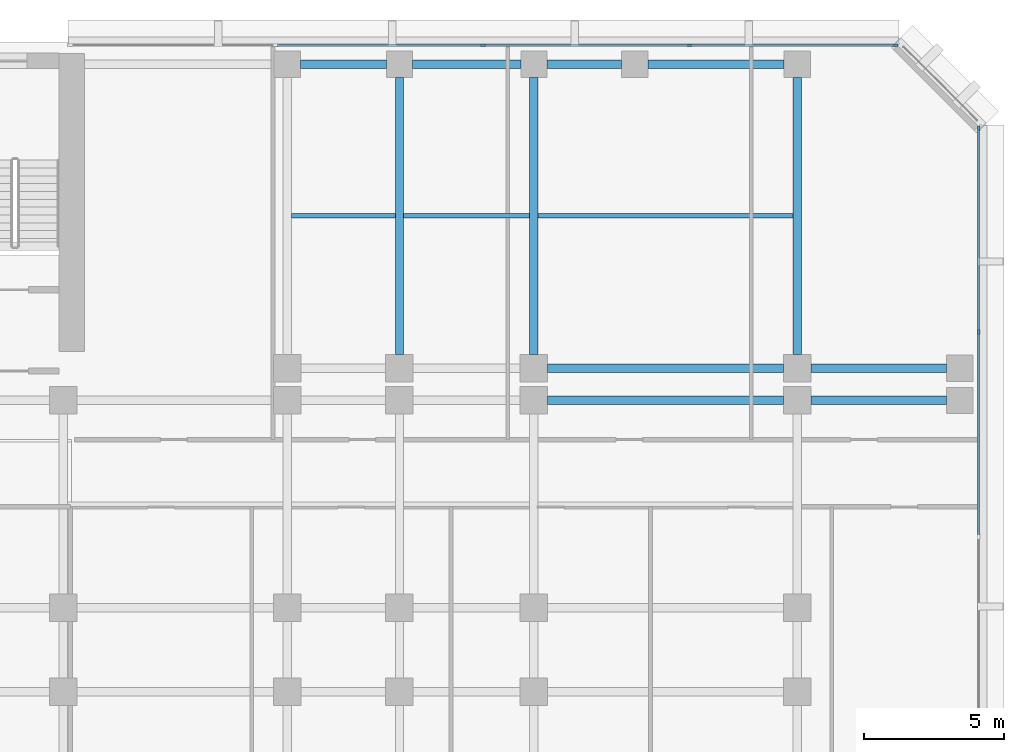
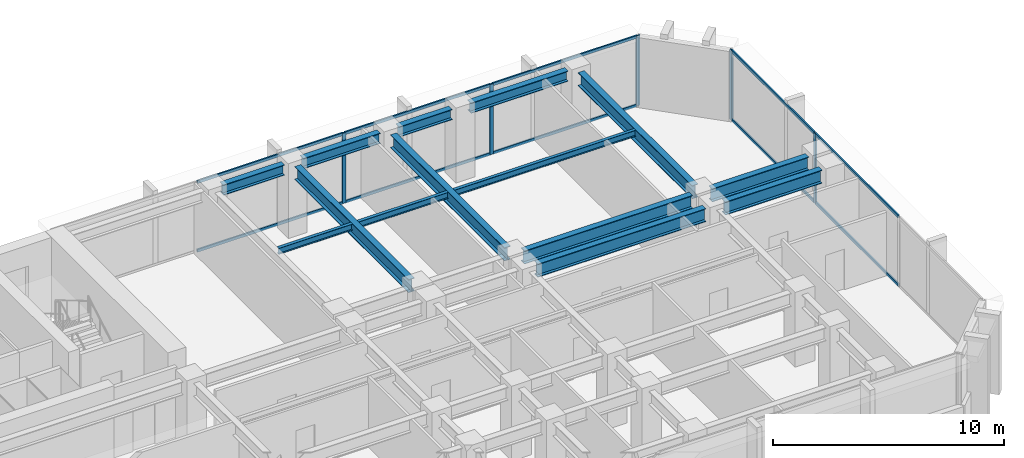
# One storey, part 5 of 14: 15 members, 14 beams, 2 elements without a shape of their own.
"""IFC4 building model written with IfcOpenShell, lengths in metres."""

from ifc_helpers import new_model, si_unit, direction, frame, origin, origin_2d, place, context, subcontext, project, spatial, rectangle, i_section, extrude, material, layer, layer_set, material_profile, profile_set, type_object, element, aggregate, save


model = new_model("IFC4")

# Units and contexts
model_context = context("Model", 3, precision=1e-05, world=origin(), true_north=direction((0.0, 1.0)))
body_context = subcontext(model_context, "Body", "Model", "MODEL_VIEW")
ifc_project = project(units=[si_unit("LENGTHUNIT", "METRE"), si_unit("AREAUNIT", "SQUARE_METRE"), si_unit("VOLUMEUNIT", "CUBIC_METRE"), si_unit("PLANEANGLEUNIT", "RADIAN"), si_unit("MASSUNIT", "GRAM", prefix="KILO")], contexts=[model_context])

# Site, building, storey
site_placement = place(None, origin())
site = spatial("IfcSite", under=ifc_project, at=site_placement, CompositionType="ELEMENT")
building_placement = place(site_placement, origin())
building = spatial("IfcBuilding", under=site, at=building_placement, Name="Kefirva Bronze Tower", CompositionType="ELEMENT")
storey_placement = place(building_placement, frame((0.0, 0.0, 66.0)))
storey = spatial("IfcBuildingStorey", under=building, at=storey_placement, Name="L15", CompositionType="ELEMENT", Elevation=66.0)

# Curtain wall, members
ifc_material_1 = material(Name="Bronze anodised aluminium", Category="aluminium")
ifc_layer = layer(ifc_material_1, 0.199951171875, Name="Bronze anodised aluminium")
ifc_layer_set = layer_set([ifc_layer], Name="Bronze anodised aluminium")
curtain_wall_type = type_object("IfcCurtainWallType", Name="Unitised Bronze Ribbon Curtain Wall Zone 1", PredefinedType="USERDEFINED", material=ifc_layer_set)
curtain_wall_1_placement = place(storey_placement, origin())
curtain_wall_1 = element("IfcCurtainWall", 1, at=curtain_wall_1_placement, inside=storey, type_object=curtain_wall_type, Name="L15 Curtain Wall 2", ObjectType="UNITISED CURTAIN WALL", PredefinedType="USERDEFINED")
ifc_material_profile_1 = material_profile(ifc_material_1, rectangle(XDim=0.074951171875, YDim=0.179931640625, at=origin_2d()), Name="ALU 75x180")
ifc_profile_set_1 = profile_set([ifc_material_profile_1], Name="Bronze anodised aluminium")
member_type_1 = type_object("IfcMemberType", Name="Bronze Mullion 75x180", PredefinedType="MULLION", material=ifc_profile_set_1)
member_1_placement = place(storey_placement, frame((55.8798828125, 35.6484375, 0.0), z_axis=(0.0, 0.0, 1.0), x_axis=(-1.0, 0.0, 0.0)))
member_1 = element("IfcMember", 2, at=member_1_placement, type_object=member_type_1, Name="CW-01 mullion 3", PredefinedType="MULLION", context=body_context, shape_type="SweptSolid", body=[
    extrude(rectangle(XDim=0.074951171875, YDim=0.179931640625, at=origin_2d()), origin(), (0.0, 0.0, 1.0), 3.7099609375),
])
member_2_placement = place(storey_placement, frame((55.8798828125, 42.907470703125, 0.0), z_axis=(0.0, 0.0, 1.0), x_axis=(-1.0, 0.0, 0.0)))
member_2 = element("IfcMember", 3, at=member_2_placement, type_object=member_type_1, Name="CW-01 mullion 4", PredefinedType="MULLION", context=body_context, shape_type="SweptSolid", body=[
    extrude(rectangle(XDim=0.074951171875, YDim=0.179931640625, at=origin_2d()), origin(), (0.0, 0.0, 1.0), 3.7099609375),
])

curtain_wall_2_placement = place(storey_placement, origin())
curtain_wall_2 = element("IfcCurtainWall", 4, at=curtain_wall_2_placement, inside=storey, type_object=curtain_wall_type, Name="L15 Curtain Wall 3", ObjectType="UNITISED CURTAIN WALL", PredefinedType="USERDEFINED")
member_3_placement = place(storey_placement, frame((52.907470703125, 45.8798828125, 0.0), z_axis=(0.0, 0.0, 1.0), x_axis=(0.0, -1.0, 0.0)))
member_3 = element("IfcMember", 5, at=member_3_placement, type_object=member_type_1, Name="CW-01 mullion 1", PredefinedType="MULLION", context=body_context, shape_type="SweptSolid", body=[
    extrude(rectangle(XDim=0.074951171875, YDim=0.179931640625, at=origin_2d()), origin(), (0.0, 0.0, 1.0), 3.7099609375),
])
member_4_placement = place(storey_placement, frame((45.56005859375, 45.8798828125, 0.0), z_axis=(0.0, 0.0, 1.0), x_axis=(0.0, -1.0, 0.0)))
member_4 = element("IfcMember", 6, at=member_4_placement, type_object=member_type_1, Name="CW-01 mullion 2", PredefinedType="MULLION", context=body_context, shape_type="SweptSolid", body=[
    extrude(rectangle(XDim=0.074951171875, YDim=0.179931640625, at=origin_2d()), origin(), (0.0, 0.0, 1.0), 3.7099609375),
])
member_5_placement = place(storey_placement, frame((38.175048828125, 45.8798828125, 0.0), z_axis=(0.0, 0.0, 1.0), x_axis=(0.0, -1.0, 0.0)))
member_5 = element("IfcMember", 7, at=member_5_placement, type_object=member_type_1, Name="CW-01 mullion 3", PredefinedType="MULLION", context=body_context, shape_type="SweptSolid", body=[
    extrude(rectangle(XDim=0.074951171875, YDim=0.179931640625, at=origin_2d()), origin(), (0.0, 0.0, 1.0), 3.7099609375),
])

# Member
ifc_material_profile_2 = material_profile(ifc_material_1, rectangle(XDim=0.074951171875, YDim=0.14990234375, at=origin_2d()), Name="ALU 75x150")
ifc_profile_set_2 = profile_set([ifc_material_profile_2], Name="Bronze anodised aluminium")
member_type_2 = type_object("IfcMemberType", Name="Bronze Transom 75x150", PredefinedType="USERDEFINED", material=ifc_profile_set_2)
member_6_placement = place(storey_placement, frame((55.8798828125, 28.38916015625, 0.03759765625), z_axis=(0.0, 1.0, 0.0), x_axis=(-1.0, 0.0, 0.0)))
member_6 = element("IfcMember", 8, at=member_6_placement, type_object=member_type_2, Name="CW-01 transom 2.1", ObjectType="TRANSOM", PredefinedType="USERDEFINED", context=body_context, shape_type="SweptSolid", body=[
    extrude(rectangle(XDim=0.074951171875, YDim=0.14990234375, at=origin_2d()), origin(), (0.0, 0.0, 1.0), 7.2216796875),
])

member_7_placement = place(storey_placement, frame((55.8798828125, 28.38916015625, 3.672607421875), z_axis=(0.0, 1.0, 0.0), x_axis=(-1.0, 0.0, 0.0)))
member_7 = element("IfcMember", 9, at=member_7_placement, type_object=member_type_2, Name="CW-01 transom 2.2", ObjectType="TRANSOM", PredefinedType="USERDEFINED", context=body_context, shape_type="SweptSolid", body=[
    extrude(rectangle(XDim=0.074951171875, YDim=0.14990234375, at=origin_2d()), origin(), (0.0, 0.0, 1.0), 7.2216796875),
])

member_8_placement = place(storey_placement, frame((55.8798828125, 35.685791015625, 0.03759765625), z_axis=(0.0, 1.0, 0.0), x_axis=(-1.0, 0.0, 0.0)))
member_8 = element("IfcMember", 10, at=member_8_placement, type_object=member_type_2, Name="CW-01 transom 3.1", ObjectType="TRANSOM", PredefinedType="USERDEFINED", context=body_context, shape_type="SweptSolid", body=[
    extrude(rectangle(XDim=0.074951171875, YDim=0.14990234375, at=origin_2d()), origin(), (0.0, 0.0, 1.0), 7.184326171875),
])

member_9_placement = place(storey_placement, frame((55.8798828125, 35.685791015625, 3.672607421875), z_axis=(0.0, 1.0, 0.0), x_axis=(-1.0, 0.0, 0.0)))
member_9 = element("IfcMember", 11, at=member_9_placement, type_object=member_type_2, Name="CW-01 transom 3.2", ObjectType="TRANSOM", PredefinedType="USERDEFINED", context=body_context, shape_type="SweptSolid", body=[
    extrude(rectangle(XDim=0.074951171875, YDim=0.14990234375, at=origin_2d()), origin(), (0.0, 0.0, 1.0), 7.184326171875),
])

aggregate(curtain_wall_1, [member_1, member_2, member_6, member_7, member_8, member_9])

member_10_placement = place(storey_placement, frame((52.8701171875, 45.8798828125, 0.03759765625), z_axis=(-1.0, 0.0, 0.0), x_axis=(0.0, -1.0, 0.0)))
member_10 = element("IfcMember", 12, at=member_10_placement, type_object=member_type_2, Name="CW-01 transom 1.1", ObjectType="TRANSOM", PredefinedType="USERDEFINED", context=body_context, shape_type="SweptSolid", body=[
    extrude(rectangle(XDim=0.074951171875, YDim=0.14990234375, at=origin_2d()), origin(), (0.0, 0.0, 1.0), 7.272705078125),
])

member_11_placement = place(storey_placement, frame((52.8701171875, 45.8798828125, 3.672607421875), z_axis=(-1.0, 0.0, 0.0), x_axis=(0.0, -1.0, 0.0)))
member_11 = element("IfcMember", 13, at=member_11_placement, type_object=member_type_2, Name="CW-01 transom 1.2", ObjectType="TRANSOM", PredefinedType="USERDEFINED", context=body_context, shape_type="SweptSolid", body=[
    extrude(rectangle(XDim=0.074951171875, YDim=0.14990234375, at=origin_2d()), origin(), (0.0, 0.0, 1.0), 7.272705078125),
])

member_12_placement = place(storey_placement, frame((45.5224609375, 45.8798828125, 0.03759765625), z_axis=(-1.0, 0.0, 0.0), x_axis=(0.0, -1.0, 0.0)))
member_12 = element("IfcMember", 14, at=member_12_placement, type_object=member_type_2, Name="CW-01 transom 2.1", ObjectType="TRANSOM", PredefinedType="USERDEFINED", context=body_context, shape_type="SweptSolid", body=[
    extrude(rectangle(XDim=0.074951171875, YDim=0.14990234375, at=origin_2d()), origin(), (0.0, 0.0, 1.0), 7.31005859375),
])

member_13_placement = place(storey_placement, frame((45.5224609375, 45.8798828125, 3.672607421875), z_axis=(-1.0, 0.0, 0.0), x_axis=(0.0, -1.0, 0.0)))
member_13 = element("IfcMember", 15, at=member_13_placement, type_object=member_type_2, Name="CW-01 transom 2.2", ObjectType="TRANSOM", PredefinedType="USERDEFINED", context=body_context, shape_type="SweptSolid", body=[
    extrude(rectangle(XDim=0.074951171875, YDim=0.14990234375, at=origin_2d()), origin(), (0.0, 0.0, 1.0), 7.31005859375),
])

member_14_placement = place(storey_placement, frame((38.137451171875, 45.8798828125, 0.03759765625), z_axis=(-1.0, 0.0, 0.0), x_axis=(0.0, -1.0, 0.0)))
member_14 = element("IfcMember", 16, at=member_14_placement, type_object=member_type_2, Name="CW-01 transom 3.1", ObjectType="TRANSOM", PredefinedType="USERDEFINED", context=body_context, shape_type="SweptSolid", body=[
    extrude(rectangle(XDim=0.074951171875, YDim=0.14990234375, at=origin_2d()), origin(), (0.0, 0.0, 1.0), 7.31005859375),
])

member_15_placement = place(storey_placement, frame((38.137451171875, 45.8798828125, 3.672607421875), z_axis=(-1.0, 0.0, 0.0), x_axis=(0.0, -1.0, 0.0)))
member_15 = element("IfcMember", 17, at=member_15_placement, type_object=member_type_2, Name="CW-01 transom 3.2", ObjectType="TRANSOM", PredefinedType="USERDEFINED", context=body_context, shape_type="SweptSolid", body=[
    extrude(rectangle(XDim=0.074951171875, YDim=0.14990234375, at=origin_2d()), origin(), (0.0, 0.0, 1.0), 7.31005859375),
])

aggregate(curtain_wall_2, [member_3, member_4, member_5, member_10, member_11, member_12, member_13, member_14, member_15])

# Beams
ifc_material_2 = material(Name="Steel S355", Category="steel")
ifc_material_profile_3 = material_profile(ifc_material_2, i_section(OverallWidth=0.159912109375, OverallDepth=0.330078125, WebThickness=0.007568359375, FlangeThickness=0.011474609375, at=origin_2d()), Name="IPE 330")
ifc_profile_set_3 = profile_set([ifc_material_profile_3], Name="Steel S355")
beam_type_1 = type_object("IfcBeamType", Name="Steel Floor Joist IPE 330", PredefinedType="JOIST", material=ifc_profile_set_3)
beam_1_placement = place(storey_placement, frame((31.35009765625, 39.784912109375, 3.544921875), z_axis=(1.0, 0.0, 0.0), x_axis=(0.0, 1.0, 0.0)))
element("IfcBeam", 18, at=beam_1_placement, inside=storey, type_object=beam_type_1, Name="L15 JST-L15-31-397", PredefinedType="JOIST", context=body_context, shape_type="SweptSolid", body=[
    extrude(i_section(OverallWidth=0.159912109375, OverallDepth=0.330078125, WebThickness=0.007568359375, FlangeThickness=0.011474609375, at=origin_2d()), origin(), (0.0, 0.0, 1.0), 3.699951171875),
])
beam_2_placement = place(storey_placement, frame((35.35009765625, 39.784912109375, 3.544921875), z_axis=(1.0, 0.0, 0.0), x_axis=(0.0, 1.0, 0.0)))
element("IfcBeam", 19, at=beam_2_placement, inside=storey, type_object=beam_type_1, Name="L15 JST-L15-35-397", PredefinedType="JOIST", context=body_context, shape_type="SweptSolid", body=[
    extrude(i_section(OverallWidth=0.159912109375, OverallDepth=0.330078125, WebThickness=0.007568359375, FlangeThickness=0.011474609375, at=origin_2d()), origin(), (0.0, 0.0, 1.0), 4.5),
])
beam_3_placement = place(storey_placement, frame((40.14990234375, 39.784912109375, 3.544921875), z_axis=(1.0, 0.0, 0.0), x_axis=(0.0, 1.0, 0.0)))
element("IfcBeam", 20, at=beam_3_placement, inside=storey, type_object=beam_type_1, Name="L15 JST-L15-40-397", PredefinedType="JOIST", context=body_context, shape_type="SweptSolid", body=[
    extrude(i_section(OverallWidth=0.159912109375, OverallDepth=0.330078125, WebThickness=0.007568359375, FlangeThickness=0.011474609375, at=origin_2d()), origin(), (0.0, 0.0, 1.0), 9.10009765625),
])
ifc_material_profile_4 = material_profile(ifc_material_2, i_section(OverallWidth=0.300048828125, OverallDepth=0.699951171875, WebThickness=0.01708984375, FlangeThickness=0.031982421875, at=origin_2d()), Name="HEB 700")
ifc_profile_set_4 = profile_set([ifc_material_profile_4], Name="Steel S355")
beam_type_2 = type_object("IfcBeamType", Name="Steel Girder HEB 700", PredefinedType="USERDEFINED", material=ifc_profile_set_4)
beam_4_placement = place(storey_placement, frame((40.489990234375, 33.199951171875, 3.360107421875), z_axis=(1.0, 0.0, 0.0), x_axis=(0.0, 1.0, 0.0)))
element("IfcBeam", 21, at=beam_4_placement, inside=storey, type_object=beam_type_2, Name="L15 BM-L15-EW-40-332", ObjectType="GIRDER", PredefinedType="USERDEFINED", context=body_context, shape_type="SweptSolid", body=[
    extrude(i_section(OverallWidth=0.300048828125, OverallDepth=0.699951171875, WebThickness=0.01708984375, FlangeThickness=0.031982421875, at=origin_2d()), origin(), (0.0, 0.0, 1.0), 8.419921875),
])
beam_5_placement = place(storey_placement, frame((49.889892578125, 33.199951171875, 3.360107421875), z_axis=(1.0, 0.0, 0.0), x_axis=(0.0, 1.0, 0.0)))
element("IfcBeam", 22, at=beam_5_placement, inside=storey, type_object=beam_type_2, Name="L15 BM-L15-EW-49-332", ObjectType="GIRDER", PredefinedType="USERDEFINED", context=body_context, shape_type="SweptSolid", body=[
    extrude(i_section(OverallWidth=0.300048828125, OverallDepth=0.699951171875, WebThickness=0.01708984375, FlangeThickness=0.031982421875, at=origin_2d()), origin(), (0.0, 0.0, 1.0), 4.840087890625),
])
beam_6_placement = place(storey_placement, frame((40.489990234375, 34.35009765625, 3.360107421875), z_axis=(1.0, 0.0, 0.0), x_axis=(0.0, 1.0, 0.0)))
element("IfcBeam", 23, at=beam_6_placement, inside=storey, type_object=beam_type_2, Name="L15 BM-L15-EW-40-344", ObjectType="GIRDER", PredefinedType="USERDEFINED", context=body_context, shape_type="SweptSolid", body=[
    extrude(i_section(OverallWidth=0.300048828125, OverallDepth=0.699951171875, WebThickness=0.01708984375, FlangeThickness=0.031982421875, at=origin_2d()), origin(), (0.0, 0.0, 1.0), 8.419921875),
])
beam_7_placement = place(storey_placement, frame((49.889892578125, 34.35009765625, 3.360107421875), z_axis=(1.0, 0.0, 0.0), x_axis=(0.0, 1.0, 0.0)))
element("IfcBeam", 24, at=beam_7_placement, inside=storey, type_object=beam_type_2, Name="L15 BM-L15-EW-49-344", ObjectType="GIRDER", PredefinedType="USERDEFINED", context=body_context, shape_type="SweptSolid", body=[
    extrude(i_section(OverallWidth=0.300048828125, OverallDepth=0.699951171875, WebThickness=0.01708984375, FlangeThickness=0.031982421875, at=origin_2d()), origin(), (0.0, 0.0, 1.0), 4.840087890625),
])
for number, where, z_axis, x_axis, name in (
    (25, (35.199951171875, 34.840087890625, 3.360107421875), (0.0, 1.0, 0.0), (-1.0, 0.0, 0.0), "L15 BM-L15-NS-352-34"),
    (26, (40.0, 34.840087890625, 3.360107421875), (0.0, 1.0, 0.0), (-1.0, 0.0, 0.0), "L15 BM-L15-NS-400-34"),
    (27, (49.39990234375, 34.840087890625, 3.360107421875), (0.0, 1.0, 0.0), (-1.0, 0.0, 0.0), "L15 BM-L15-NS-494-34"),
):
    element("IfcBeam", number, at=place(storey_placement, frame(where, z_axis=z_axis, x_axis=x_axis)), inside=storey, type_object=beam_type_2, Name=name, ObjectType="GIRDER", PredefinedType="USERDEFINED", context=body_context, shape_type="SweptSolid", body=[
        extrude(i_section(OverallWidth=0.300048828125, OverallDepth=0.699951171875, WebThickness=0.01708984375, FlangeThickness=0.031982421875, at=origin_2d()), origin(), (0.0, 0.0, 1.0), 9.889892578125),
    ])
ifc_material_profile_5 = material_profile(ifc_material_2, i_section(OverallWidth=0.300048828125, OverallDepth=0.550048828125, WebThickness=0.014892578125, FlangeThickness=0.029052734375, at=origin_2d()), Name="HEB 550")
ifc_profile_set_5 = profile_set([ifc_material_profile_5], Name="Steel S355")
beam_type_3 = type_object("IfcBeamType", Name="Steel Spandrel HEB 550 Ext", PredefinedType="SPANDREL", material=ifc_profile_set_5)
beam_8_placement = place(storey_placement, frame((31.669921875, 45.199951171875, 3.43505859375), z_axis=(1.0, 0.0, 0.0), x_axis=(0.0, 1.0, 0.0)))
element("IfcBeam", 28, at=beam_8_placement, inside=storey, type_object=beam_type_3, Name="L15 BM-L15-EW-31-452", PredefinedType="SPANDREL", context=body_context, shape_type="SweptSolid", body=[
    extrude(i_section(OverallWidth=0.300048828125, OverallDepth=0.550048828125, WebThickness=0.014892578125, FlangeThickness=0.029052734375, at=origin_2d()), origin(), (0.0, 0.0, 1.0), 3.06005859375),
])
beam_9_placement = place(storey_placement, frame((35.669921875, 45.199951171875, 3.43505859375), z_axis=(1.0, 0.0, 0.0), x_axis=(0.0, 1.0, 0.0)))
element("IfcBeam", 29, at=beam_9_placement, inside=storey, type_object=beam_type_3, Name="L15 BM-L15-EW-35-452", PredefinedType="SPANDREL", context=body_context, shape_type="SweptSolid", body=[
    extrude(i_section(OverallWidth=0.300048828125, OverallDepth=0.550048828125, WebThickness=0.014892578125, FlangeThickness=0.029052734375, at=origin_2d()), origin(), (0.0, 0.0, 1.0), 3.860107421875),
])
beam_10_placement = place(storey_placement, frame((40.469970703125, 45.199951171875, 3.43505859375), z_axis=(1.0, 0.0, 0.0), x_axis=(0.0, 1.0, 0.0)))
element("IfcBeam", 30, at=beam_10_placement, inside=storey, type_object=beam_type_3, Name="L15 BM-L15-EW-40-452", PredefinedType="SPANDREL", context=body_context, shape_type="SweptSolid", body=[
    extrude(i_section(OverallWidth=0.300048828125, OverallDepth=0.550048828125, WebThickness=0.014892578125, FlangeThickness=0.029052734375, at=origin_2d()), origin(), (0.0, 0.0, 1.0), 2.659912109375),
])
beam_11_placement = place(storey_placement, frame((44.070068359375, 45.199951171875, 3.43505859375), z_axis=(1.0, 0.0, 0.0), x_axis=(0.0, 1.0, 0.0)))
element("IfcBeam", 31, at=beam_11_placement, inside=storey, type_object=beam_type_3, Name="L15 BM-L15-EW-43-452", PredefinedType="SPANDREL", context=body_context, shape_type="SweptSolid", body=[
    extrude(i_section(OverallWidth=0.300048828125, OverallDepth=0.550048828125, WebThickness=0.014892578125, FlangeThickness=0.029052734375, at=origin_2d()), origin(), (0.0, 0.0, 1.0), 4.85986328125),
])

save(model, "model.ifc")
